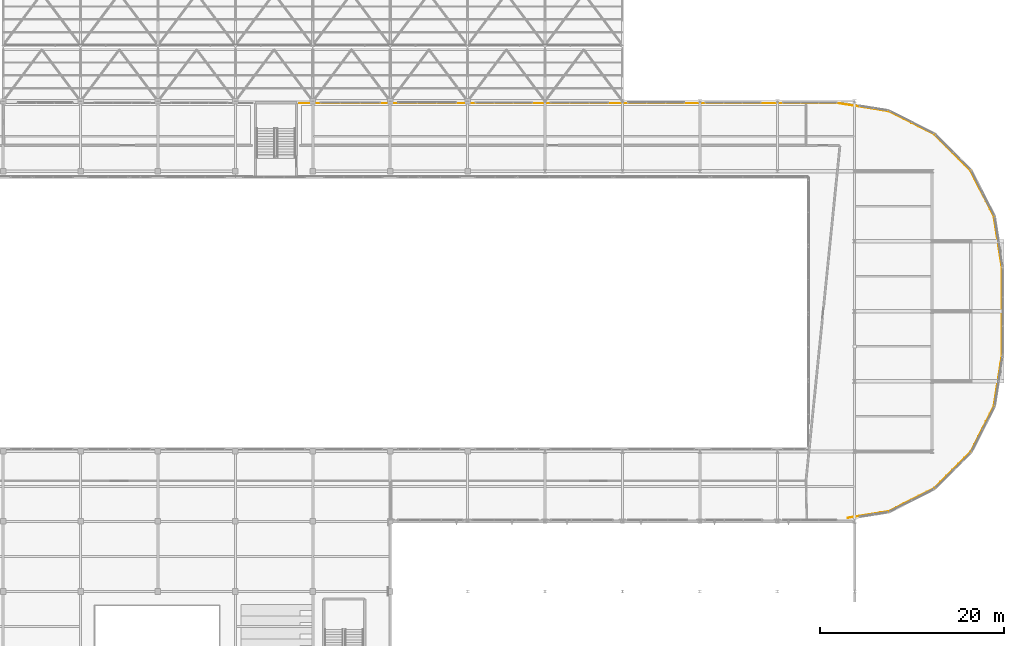
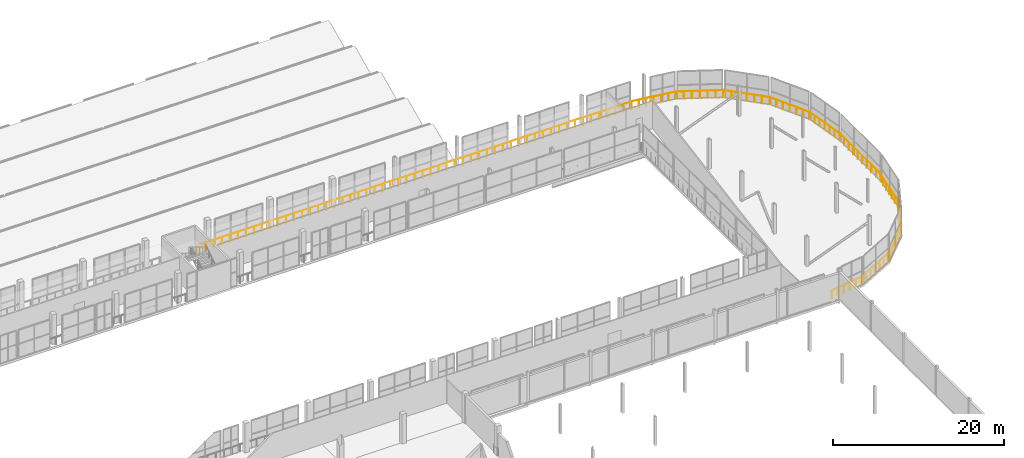
# One storey, part 217 of 217: 1 railing.
"""IFC4 building model written with IfcOpenShell, lengths in metres."""

from ifc_helpers import new_model, si_unit, direction, frame, origin, origin_2d, place, context, subcontext, project, spatial, circle, extrude, material, type_object, element, save


model = new_model("IFC4")

# Units and contexts
model_context = context("Model", 3, precision=1e-05, world=origin(), true_north=direction((0.0, 1.0)))
body_context = subcontext(model_context, "Body", "Model", "MODEL_VIEW")
ifc_project = project(units=[si_unit("LENGTHUNIT", "METRE"), si_unit("AREAUNIT", "SQUARE_METRE"), si_unit("VOLUMEUNIT", "CUBIC_METRE"), si_unit("PLANEANGLEUNIT", "RADIAN"), si_unit("MASSUNIT", "GRAM", prefix="KILO")], contexts=[model_context])

# Site, building, storey
site_placement = place(None, origin())
site = spatial("IfcSite", under=ifc_project, at=site_placement, CompositionType="ELEMENT")
building_placement = place(site_placement, origin())
building = spatial("IfcBuilding", under=site, at=building_placement, Name="Zuvorla Pavilion Media Centre", CompositionType="ELEMENT")
storey_placement = place(building_placement, frame((0.0, 0.0, 9.60009765625)))
storey = spatial("IfcBuildingStorey", under=building, at=storey_placement, Name="L02", CompositionType="ELEMENT", Elevation=9.60009765625)

# Railing
ifc_material = material(Name="Powder-coated steel balustrade guard", Category="steel")
railing_type = type_object("IfcRailingType", Name="RL-INT-GRD", PredefinedType="BALUSTRADE", material=ifc_material)
railing_placement = place(storey_placement, frame((98.9599609375, 89.3798828125, 0.0)))
element("IfcRailing", 1, at=railing_placement, inside=storey, type_object=railing_type, Name="L02 slab edge guard 59", PredefinedType="BALUSTRADE", context=body_context, shape_type="SweptSolid", body=[
    extrude(circle(Radius=0.02392578125, at=origin_2d()), frame((0.02880859375, 0.0, 1.09619140625), z_axis=(1.0, 0.0, 0.0), x_axis=(0.0, 1.0, 0.0)), (0.0, 0.0, 1.0), 58.365234375),
    extrude(circle(Radius=0.02392578125, at=origin_2d()), frame((58.451416015625, -0.00439453125, 1.09619140625), z_axis=(0.987688702887, -0.156432177602, 0.0), x_axis=(0.156432177602, 0.987688702887, 0.0)), (0.0, 0.0, 1.0), 5.521728515625),
    extrude(circle(Radius=0.02392578125, at=origin_2d()), frame((63.959228515625, -0.885986328125, 1.09619140625), z_axis=(0.891012695814, -0.453978387039, 0.0), x_axis=(0.453978387039, 0.891012695814, 0.0)), (0.0, 0.0, 1.0), 5.50390625),
    extrude(circle(Radius=0.02392578125, at=origin_2d()), frame((68.90966796875, -3.418212890625, 1.09619140625), z_axis=(0.707106781187, -0.707106781187, 0.0), x_axis=(0.707106781187, 0.707106781187, 0.0)), (0.0, 0.0, 1.0), 5.504150390625),
    extrude(circle(Radius=0.02392578125, at=origin_2d()), frame((72.835205078125, -7.356201171875, 1.09619140625), z_axis=(0.453995479409, -0.891003986902, 0.0), x_axis=(0.891003986902, 0.453995479409, 0.0)), (0.0, 0.0, 1.0), 5.50439453125),
    extrude(circle(Radius=0.02392578125, at=origin_2d()), frame((75.3515625, -12.31494140625, 1.09619140625), z_axis=(0.156432177602, -0.987688702887, 0.0), x_axis=(0.987688702887, 0.156432177602, 0.0)), (0.0, 0.0, 1.0), 5.521728515625),
    extrude(circle(Radius=0.02392578125, at=origin_2d()), frame((76.219970703125, -17.825927734375, 1.09619140625), z_axis=(0.0, -1.0, 0.0), x_axis=(1.0, 0.0, 0.0)), (0.0, 0.0, 1.0), 9.5078125),
    extrude(circle(Radius=0.02392578125, at=origin_2d()), frame((76.215576171875, -27.39111328125, 1.09619140625), z_axis=(-0.156432177602, -0.987688702887, 0.0), x_axis=(0.987688702887, -0.156432177602, 0.0)), (0.0, 0.0, 1.0), 5.521728515625),
    extrude(circle(Radius=0.02392578125, at=origin_2d()), frame((75.333984375, -32.89892578125, 1.09619140625), z_axis=(-0.453995479409, -0.891003986902, 0.0), x_axis=(0.891003986902, -0.453995479409, 0.0)), (0.0, 0.0, 1.0), 5.50439453125),
    extrude(circle(Radius=0.02392578125, at=origin_2d()), frame((72.801513671875, -37.849609375, 1.09619140625), z_axis=(-0.707106781187, -0.707106781187, 0.0), x_axis=(0.707106781187, -0.707106781187, 0.0)), (0.0, 0.0, 1.0), 5.504150390625),
    extrude(circle(Radius=0.02392578125, at=origin_2d()), frame((68.863525390625, -41.775146484375, 1.09619140625), z_axis=(-0.890994939299, -0.454013235647, 0.0), x_axis=(0.454013235647, -0.890994939299, 0.0)), (0.0, 0.0, 1.0), 5.504150390625),
    extrude(circle(Radius=0.02392578125, at=origin_2d()), frame((63.905029296875, -44.29150390625, 1.09619140625), z_axis=(-0.987692999379, -0.156405047803, 0.0), x_axis=(0.156405047803, -0.987692999379, 0.0)), (0.0, 0.0, 1.0), 4.447265625),
    extrude(circle(Radius=0.02099609375, at=origin_2d()), origin(), (0.0, 0.0, 1.0), 1.070068359375),
    extrude(circle(Radius=0.02099609375, at=origin_2d()), frame((1.081787109375, 0.0, 0.0)), (0.0, 0.0, 1.0), 1.070068359375),
    extrude(circle(Radius=0.02099609375, at=origin_2d()), frame((2.163818359375, 0.0, 0.0)), (0.0, 0.0, 1.0), 1.070068359375),
    extrude(circle(Radius=0.02099609375, at=origin_2d()), frame((3.24560546875, 0.0, 0.0)), (0.0, 0.0, 1.0), 1.070068359375),
    extrude(circle(Radius=0.02099609375, at=origin_2d()), frame((4.32763671875, 0.0, 0.0)), (0.0, 0.0, 1.0), 1.070068359375),
    extrude(circle(Radius=0.02099609375, at=origin_2d()), frame((5.409423828125, 0.0, 0.0)), (0.0, 0.0, 1.0), 1.070068359375),
    extrude(circle(Radius=0.02099609375, at=origin_2d()), frame((6.491455078125, 0.0, 0.0)), (0.0, 0.0, 1.0), 1.070068359375),
    extrude(circle(Radius=0.02099609375, at=origin_2d()), frame((7.5732421875, 0.0, 0.0)), (0.0, 0.0, 1.0), 1.070068359375),
    extrude(circle(Radius=0.02099609375, at=origin_2d()), frame((8.6552734375, 0.0, 0.0)), (0.0, 0.0, 1.0), 1.070068359375),
    extrude(circle(Radius=0.02099609375, at=origin_2d()), frame((9.737060546875, 0.0, 0.0)), (0.0, 0.0, 1.0), 1.070068359375),
    extrude(circle(Radius=0.02099609375, at=origin_2d()), frame((10.819091796875, 0.0, 0.0)), (0.0, 0.0, 1.0), 1.070068359375),
    extrude(circle(Radius=0.02099609375, at=origin_2d()), frame((11.90087890625, 0.0, 0.0)), (0.0, 0.0, 1.0), 1.070068359375),
    extrude(circle(Radius=0.02099609375, at=origin_2d()), frame((12.98291015625, 0.0, 0.0)), (0.0, 0.0, 1.0), 1.070068359375),
    extrude(circle(Radius=0.02099609375, at=origin_2d()), frame((14.064697265625, 0.0, 0.0)), (0.0, 0.0, 1.0), 1.070068359375),
    extrude(circle(Radius=0.02099609375, at=origin_2d()), frame((15.146728515625, 0.0, 0.0)), (0.0, 0.0, 1.0), 1.070068359375),
    extrude(circle(Radius=0.02099609375, at=origin_2d()), frame((16.228515625, 0.0, 0.0)), (0.0, 0.0, 1.0), 1.070068359375),
    extrude(circle(Radius=0.02099609375, at=origin_2d()), frame((17.310546875, 0.0, 0.0)), (0.0, 0.0, 1.0), 1.070068359375),
    extrude(circle(Radius=0.02099609375, at=origin_2d()), frame((18.392333984375, 0.0, 0.0)), (0.0, 0.0, 1.0), 1.070068359375),
    extrude(circle(Radius=0.02099609375, at=origin_2d()), frame((19.474365234375, 0.0, 0.0)), (0.0, 0.0, 1.0), 1.070068359375),
    extrude(circle(Radius=0.02099609375, at=origin_2d()), frame((20.55615234375, 0.0, 0.0)), (0.0, 0.0, 1.0), 1.070068359375),
    extrude(circle(Radius=0.02099609375, at=origin_2d()), frame((21.63818359375, 0.0, 0.0)), (0.0, 0.0, 1.0), 1.070068359375),
    extrude(circle(Radius=0.02099609375, at=origin_2d()), frame((22.719970703125, 0.0, 0.0)), (0.0, 0.0, 1.0), 1.070068359375),
    extrude(circle(Radius=0.02099609375, at=origin_2d()), frame((23.802001953125, 0.0, 0.0)), (0.0, 0.0, 1.0), 1.070068359375),
    extrude(circle(Radius=0.02099609375, at=origin_2d()), frame((24.8837890625, 0.0, 0.0)), (0.0, 0.0, 1.0), 1.070068359375),
    extrude(circle(Radius=0.02099609375, at=origin_2d()), frame((25.9658203125, 0.0, 0.0)), (0.0, 0.0, 1.0), 1.070068359375),
    extrude(circle(Radius=0.02099609375, at=origin_2d()), frame((27.047607421875, 0.0, 0.0)), (0.0, 0.0, 1.0), 1.070068359375),
    extrude(circle(Radius=0.02099609375, at=origin_2d()), frame((28.129638671875, 0.0, 0.0)), (0.0, 0.0, 1.0), 1.070068359375),
    extrude(circle(Radius=0.02099609375, at=origin_2d()), frame((29.21142578125, 0.0, 0.0)), (0.0, 0.0, 1.0), 1.070068359375),
    extrude(circle(Radius=0.02099609375, at=origin_2d()), frame((30.293212890625, 0.0, 0.0)), (0.0, 0.0, 1.0), 1.070068359375),
    extrude(circle(Radius=0.02099609375, at=origin_2d()), frame((31.375244140625, 0.0, 0.0)), (0.0, 0.0, 1.0), 1.070068359375),
    extrude(circle(Radius=0.02099609375, at=origin_2d()), frame((32.45703125, 0.0, 0.0)), (0.0, 0.0, 1.0), 1.070068359375),
    extrude(circle(Radius=0.02099609375, at=origin_2d()), frame((33.5390625, 0.0, 0.0)), (0.0, 0.0, 1.0), 1.070068359375),
    extrude(circle(Radius=0.02099609375, at=origin_2d()), frame((34.620849609375, 0.0, 0.0)), (0.0, 0.0, 1.0), 1.070068359375),
    extrude(circle(Radius=0.02099609375, at=origin_2d()), frame((35.702880859375, 0.0, 0.0)), (0.0, 0.0, 1.0), 1.070068359375),
    extrude(circle(Radius=0.02099609375, at=origin_2d()), frame((36.78466796875, 0.0, 0.0)), (0.0, 0.0, 1.0), 1.070068359375),
    extrude(circle(Radius=0.02099609375, at=origin_2d()), frame((37.86669921875, 0.0, 0.0)), (0.0, 0.0, 1.0), 1.070068359375),
    extrude(circle(Radius=0.02099609375, at=origin_2d()), frame((38.948486328125, 0.0, 0.0)), (0.0, 0.0, 1.0), 1.070068359375),
    extrude(circle(Radius=0.02099609375, at=origin_2d()), frame((40.030517578125, 0.0, 0.0)), (0.0, 0.0, 1.0), 1.070068359375),
    extrude(circle(Radius=0.02099609375, at=origin_2d()), frame((41.1123046875, 0.0, 0.0)), (0.0, 0.0, 1.0), 1.070068359375),
    extrude(circle(Radius=0.02099609375, at=origin_2d()), frame((42.1943359375, 0.0, 0.0)), (0.0, 0.0, 1.0), 1.070068359375),
    extrude(circle(Radius=0.02099609375, at=origin_2d()), frame((43.276123046875, 0.0, 0.0)), (0.0, 0.0, 1.0), 1.070068359375),
    extrude(circle(Radius=0.02099609375, at=origin_2d()), frame((44.358154296875, 0.0, 0.0)), (0.0, 0.0, 1.0), 1.070068359375),
    extrude(circle(Radius=0.02099609375, at=origin_2d()), frame((45.43994140625, 0.0, 0.0)), (0.0, 0.0, 1.0), 1.070068359375),
    extrude(circle(Radius=0.02099609375, at=origin_2d()), frame((46.52197265625, 0.0, 0.0)), (0.0, 0.0, 1.0), 1.070068359375),
    extrude(circle(Radius=0.02099609375, at=origin_2d()), frame((47.603759765625, 0.0, 0.0)), (0.0, 0.0, 1.0), 1.070068359375),
    extrude(circle(Radius=0.02099609375, at=origin_2d()), frame((48.685791015625, 0.0, 0.0)), (0.0, 0.0, 1.0), 1.070068359375),
    extrude(circle(Radius=0.02099609375, at=origin_2d()), frame((49.767578125, 0.0, 0.0)), (0.0, 0.0, 1.0), 1.070068359375),
    extrude(circle(Radius=0.02099609375, at=origin_2d()), frame((50.849609375, 0.0, 0.0)), (0.0, 0.0, 1.0), 1.070068359375),
    extrude(circle(Radius=0.02099609375, at=origin_2d()), frame((51.931396484375, 0.0, 0.0)), (0.0, 0.0, 1.0), 1.070068359375),
    extrude(circle(Radius=0.02099609375, at=origin_2d()), frame((53.013427734375, 0.0, 0.0)), (0.0, 0.0, 1.0), 1.070068359375),
    extrude(circle(Radius=0.02099609375, at=origin_2d()), frame((54.09521484375, 0.0, 0.0)), (0.0, 0.0, 1.0), 1.070068359375),
    extrude(circle(Radius=0.02099609375, at=origin_2d()), frame((55.17724609375, 0.0, 0.0)), (0.0, 0.0, 1.0), 1.070068359375),
    extrude(circle(Radius=0.02099609375, at=origin_2d()), frame((56.259033203125, 0.0, 0.0)), (0.0, 0.0, 1.0), 1.070068359375),
    extrude(circle(Radius=0.02099609375, at=origin_2d()), frame((57.341064453125, 0.0, 0.0)), (0.0, 0.0, 1.0), 1.070068359375),
    extrude(circle(Radius=0.02099609375, at=origin_2d()), frame((58.4228515625, 0.0, 0.0)), (0.0, 0.0, 1.0), 1.070068359375),
    extrude(circle(Radius=0.02099609375, at=origin_2d()), frame((59.34130859375, -0.1455078125, 0.0)), (0.0, 0.0, 1.0), 1.070068359375),
    extrude(circle(Radius=0.02099609375, at=origin_2d()), frame((60.259765625, -0.291015625, 0.0)), (0.0, 0.0, 1.0), 1.070068359375),
    extrude(circle(Radius=0.02099609375, at=origin_2d()), frame((61.17822265625, -0.4365234375, 0.0)), (0.0, 0.0, 1.0), 1.070068359375),
    extrude(circle(Radius=0.02099609375, at=origin_2d()), frame((62.0966796875, -0.581787109375, 0.0)), (0.0, 0.0, 1.0), 1.070068359375),
    extrude(circle(Radius=0.02099609375, at=origin_2d()), frame((63.01513671875, -0.727294921875, 0.0)), (0.0, 0.0, 1.0), 1.070068359375),
    extrude(circle(Radius=0.02099609375, at=origin_2d()), frame((63.93359375, -0.872802734375, 0.0)), (0.0, 0.0, 1.0), 1.070068359375),
    extrude(circle(Radius=0.02099609375, at=origin_2d()), frame((64.759521484375, -1.293701171875, 0.0)), (0.0, 0.0, 1.0), 1.070068359375),
    extrude(circle(Radius=0.02099609375, at=origin_2d()), frame((65.58544921875, -1.71435546875, 0.0)), (0.0, 0.0, 1.0), 1.070068359375),
    extrude(circle(Radius=0.02099609375, at=origin_2d()), frame((66.411376953125, -2.13525390625, 0.0)), (0.0, 0.0, 1.0), 1.070068359375),
    extrude(circle(Radius=0.02099609375, at=origin_2d()), frame((67.2373046875, -2.55615234375, 0.0)), (0.0, 0.0, 1.0), 1.070068359375),
    extrude(circle(Radius=0.02099609375, at=origin_2d()), frame((68.063232421875, -2.976806640625, 0.0)), (0.0, 0.0, 1.0), 1.070068359375),
    extrude(circle(Radius=0.02099609375, at=origin_2d()), frame((68.88916015625, -3.397705078125, 0.0)), (0.0, 0.0, 1.0), 1.070068359375),
    extrude(circle(Radius=0.02099609375, at=origin_2d()), frame((69.544677734375, -4.05322265625, 0.0)), (0.0, 0.0, 1.0), 1.070068359375),
    extrude(circle(Radius=0.02099609375, at=origin_2d()), frame((70.2001953125, -4.708740234375, 0.0)), (0.0, 0.0, 1.0), 1.070068359375),
    extrude(circle(Radius=0.02099609375, at=origin_2d()), frame((70.85546875, -5.3642578125, 0.0)), (0.0, 0.0, 1.0), 1.070068359375),
    extrude(circle(Radius=0.02099609375, at=origin_2d()), frame((71.510986328125, -6.01953125, 0.0)), (0.0, 0.0, 1.0), 1.070068359375),
    extrude(circle(Radius=0.02099609375, at=origin_2d()), frame((72.16650390625, -6.675048828125, 0.0)), (0.0, 0.0, 1.0), 1.070068359375),
    extrude(circle(Radius=0.02099609375, at=origin_2d()), frame((72.822021484375, -7.33056640625, 0.0)), (0.0, 0.0, 1.0), 1.070068359375),
    extrude(circle(Radius=0.02099609375, at=origin_2d()), frame((73.242919921875, -8.156494140625, 0.0)), (0.0, 0.0, 1.0), 1.070068359375),
    extrude(circle(Radius=0.02099609375, at=origin_2d()), frame((73.663818359375, -8.982421875, 0.0)), (0.0, 0.0, 1.0), 1.070068359375),
    extrude(circle(Radius=0.02099609375, at=origin_2d()), frame((74.08447265625, -9.80859375, 0.0)), (0.0, 0.0, 1.0), 1.070068359375),
    extrude(circle(Radius=0.02099609375, at=origin_2d()), frame((74.50537109375, -10.634521484375, 0.0)), (0.0, 0.0, 1.0), 1.070068359375),
    extrude(circle(Radius=0.02099609375, at=origin_2d()), frame((74.92626953125, -11.46044921875, 0.0)), (0.0, 0.0, 1.0), 1.070068359375),
    extrude(circle(Radius=0.02099609375, at=origin_2d()), frame((75.34716796875, -12.286376953125, 0.0)), (0.0, 0.0, 1.0), 1.070068359375),
    extrude(circle(Radius=0.02099609375, at=origin_2d()), frame((75.49267578125, -13.204833984375, 0.0)), (0.0, 0.0, 1.0), 1.070068359375),
    extrude(circle(Radius=0.02099609375, at=origin_2d()), frame((75.63818359375, -14.123291015625, 0.0)), (0.0, 0.0, 1.0), 1.070068359375),
    extrude(circle(Radius=0.02099609375, at=origin_2d()), frame((75.78369140625, -15.041748046875, 0.0)), (0.0, 0.0, 1.0), 1.070068359375),
    extrude(circle(Radius=0.02099609375, at=origin_2d()), frame((75.928955078125, -15.960205078125, 0.0)), (0.0, 0.0, 1.0), 1.070068359375),
    extrude(circle(Radius=0.02099609375, at=origin_2d()), frame((76.074462890625, -16.878662109375, 0.0)), (0.0, 0.0, 1.0), 1.070068359375),
    extrude(circle(Radius=0.02099609375, at=origin_2d()), frame((76.219970703125, -17.797119140625, 0.0)), (0.0, 0.0, 1.0), 1.070068359375),
    extrude(circle(Radius=0.02099609375, at=origin_2d()), frame((76.219970703125, -18.85986328125, 0.0)), (0.0, 0.0, 1.0), 1.070068359375),
    extrude(circle(Radius=0.02099609375, at=origin_2d()), frame((76.219970703125, -19.9228515625, 0.0)), (0.0, 0.0, 1.0), 1.070068359375),
    extrude(circle(Radius=0.02099609375, at=origin_2d()), frame((76.219970703125, -20.985595703125, 0.0)), (0.0, 0.0, 1.0), 1.070068359375),
    extrude(circle(Radius=0.02099609375, at=origin_2d()), frame((76.219970703125, -22.04833984375, 0.0)), (0.0, 0.0, 1.0), 1.070068359375),
    extrude(circle(Radius=0.02099609375, at=origin_2d()), frame((76.219970703125, -23.111328125, 0.0)), (0.0, 0.0, 1.0), 1.070068359375),
    extrude(circle(Radius=0.02099609375, at=origin_2d()), frame((76.219970703125, -24.174072265625, 0.0)), (0.0, 0.0, 1.0), 1.070068359375),
    extrude(circle(Radius=0.02099609375, at=origin_2d()), frame((76.219970703125, -25.23681640625, 0.0)), (0.0, 0.0, 1.0), 1.070068359375),
    extrude(circle(Radius=0.02099609375, at=origin_2d()), frame((76.219970703125, -26.2998046875, 0.0)), (0.0, 0.0, 1.0), 1.070068359375),
    extrude(circle(Radius=0.02099609375, at=origin_2d()), frame((76.219970703125, -27.362548828125, 0.0)), (0.0, 0.0, 1.0), 1.070068359375),
    extrude(circle(Radius=0.02099609375, at=origin_2d()), frame((76.074462890625, -28.281005859375, 0.0)), (0.0, 0.0, 1.0), 1.070068359375),
    extrude(circle(Radius=0.02099609375, at=origin_2d()), frame((75.928955078125, -29.199462890625, 0.0)), (0.0, 0.0, 1.0), 1.070068359375),
    extrude(circle(Radius=0.02099609375, at=origin_2d()), frame((75.78369140625, -30.117919921875, 0.0)), (0.0, 0.0, 1.0), 1.070068359375),
    extrude(circle(Radius=0.02099609375, at=origin_2d()), frame((75.63818359375, -31.036376953125, 0.0)), (0.0, 0.0, 1.0), 1.070068359375),
    extrude(circle(Radius=0.02099609375, at=origin_2d()), frame((75.49267578125, -31.954833984375, 0.0)), (0.0, 0.0, 1.0), 1.070068359375),
    extrude(circle(Radius=0.02099609375, at=origin_2d()), frame((75.34716796875, -32.873291015625, 0.0)), (0.0, 0.0, 1.0), 1.070068359375),
    extrude(circle(Radius=0.02099609375, at=origin_2d()), frame((74.92626953125, -33.69921875, 0.0)), (0.0, 0.0, 1.0), 1.070068359375),
    extrude(circle(Radius=0.02099609375, at=origin_2d()), frame((74.50537109375, -34.525146484375, 0.0)), (0.0, 0.0, 1.0), 1.070068359375),
    extrude(circle(Radius=0.02099609375, at=origin_2d()), frame((74.08447265625, -35.35107421875, 0.0)), (0.0, 0.0, 1.0), 1.070068359375),
    extrude(circle(Radius=0.02099609375, at=origin_2d()), frame((73.663818359375, -36.17724609375, 0.0)), (0.0, 0.0, 1.0), 1.070068359375),
    extrude(circle(Radius=0.02099609375, at=origin_2d()), frame((73.242919921875, -37.003173828125, 0.0)), (0.0, 0.0, 1.0), 1.070068359375),
    extrude(circle(Radius=0.02099609375, at=origin_2d()), frame((72.822021484375, -37.8291015625, 0.0)), (0.0, 0.0, 1.0), 1.070068359375),
    extrude(circle(Radius=0.02099609375, at=origin_2d()), frame((72.16650390625, -38.484619140625, 0.0)), (0.0, 0.0, 1.0), 1.070068359375),
    extrude(circle(Radius=0.02099609375, at=origin_2d()), frame((71.510986328125, -39.14013671875, 0.0)), (0.0, 0.0, 1.0), 1.070068359375),
    extrude(circle(Radius=0.02099609375, at=origin_2d()), frame((70.85546875, -39.79541015625, 0.0)), (0.0, 0.0, 1.0), 1.070068359375),
    extrude(circle(Radius=0.02099609375, at=origin_2d()), frame((70.2001953125, -40.450927734375, 0.0)), (0.0, 0.0, 1.0), 1.070068359375),
    extrude(circle(Radius=0.02099609375, at=origin_2d()), frame((69.544677734375, -41.1064453125, 0.0)), (0.0, 0.0, 1.0), 1.070068359375),
    extrude(circle(Radius=0.02099609375, at=origin_2d()), frame((68.88916015625, -41.761962890625, 0.0)), (0.0, 0.0, 1.0), 1.070068359375),
    extrude(circle(Radius=0.02099609375, at=origin_2d()), frame((68.063232421875, -42.182861328125, 0.0)), (0.0, 0.0, 1.0), 1.070068359375),
    extrude(circle(Radius=0.02099609375, at=origin_2d()), frame((67.2373046875, -42.603759765625, 0.0)), (0.0, 0.0, 1.0), 1.070068359375),
    extrude(circle(Radius=0.02099609375, at=origin_2d()), frame((66.411376953125, -43.0244140625, 0.0)), (0.0, 0.0, 1.0), 1.070068359375),
    extrude(circle(Radius=0.02099609375, at=origin_2d()), frame((65.58544921875, -43.4453125, 0.0)), (0.0, 0.0, 1.0), 1.070068359375),
    extrude(circle(Radius=0.02099609375, at=origin_2d()), frame((64.759521484375, -43.8662109375, 0.0)), (0.0, 0.0, 1.0), 1.070068359375),
    extrude(circle(Radius=0.02099609375, at=origin_2d()), frame((63.93359375, -44.287109375, 0.0)), (0.0, 0.0, 1.0), 1.070068359375),
    extrude(circle(Radius=0.02099609375, at=origin_2d()), frame((63.043701171875, -44.427978515625, 0.0)), (0.0, 0.0, 1.0), 1.070068359375),
    extrude(circle(Radius=0.02099609375, at=origin_2d()), frame((62.15380859375, -44.56884765625, 0.0)), (0.0, 0.0, 1.0), 1.070068359375),
    extrude(circle(Radius=0.02099609375, at=origin_2d()), frame((61.263916015625, -44.7099609375, 0.0)), (0.0, 0.0, 1.0), 1.070068359375),
    extrude(circle(Radius=0.02099609375, at=origin_2d()), frame((60.3740234375, -44.850830078125, 0.0)), (0.0, 0.0, 1.0), 1.070068359375),
    extrude(circle(Radius=0.02099609375, at=origin_2d()), frame((59.484130859375, -44.99169921875, 0.0)), (0.0, 0.0, 1.0), 1.070068359375),
])

save(model, "model.ifc")
